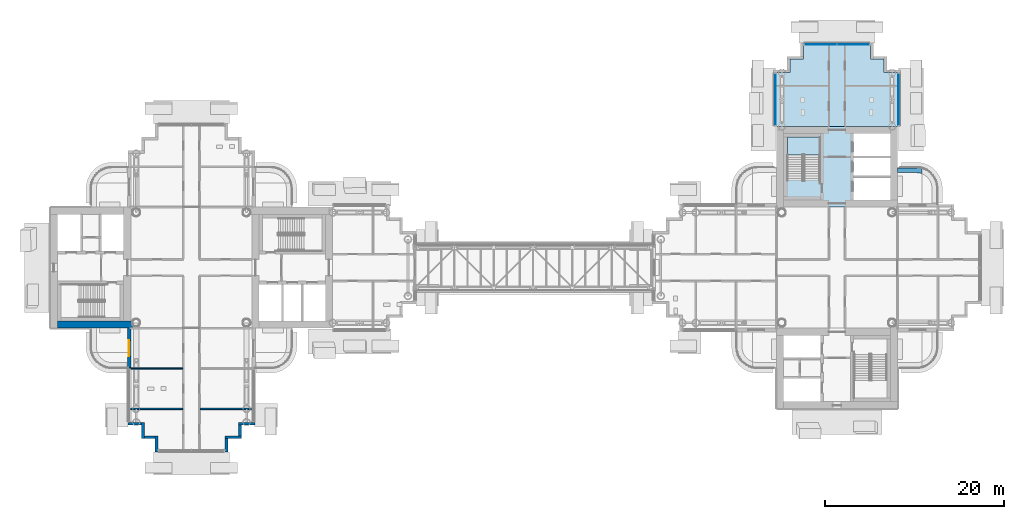
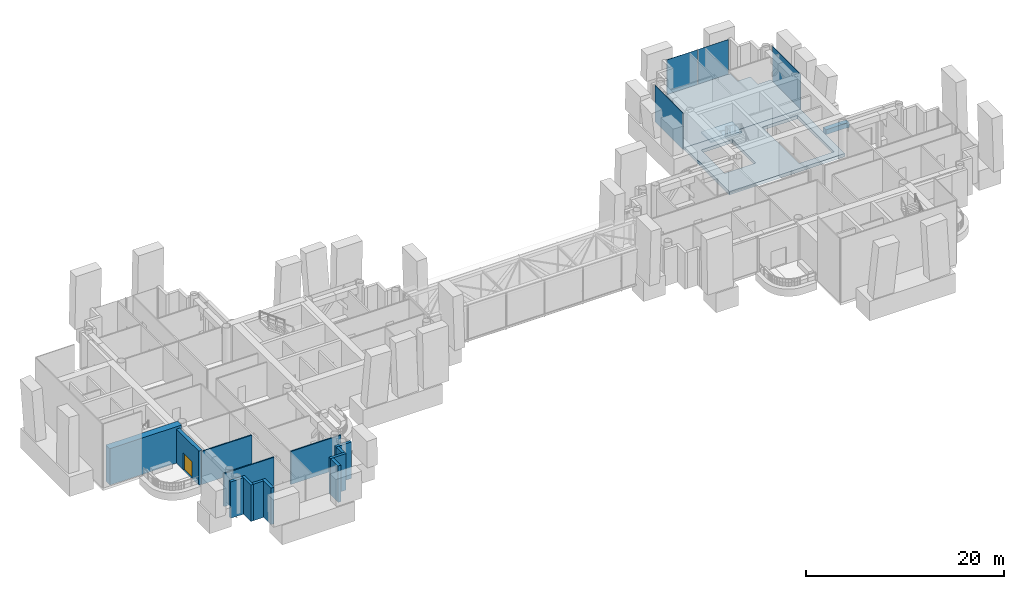
# One storey, part 11 of 26: 13 walls, 4 plates, 4 slabs, 1 door, 1 opening, 4 elements without a shape of their own.
"""IFC4 building model written with IfcOpenShell, lengths in metres."""

import ifcopenshell
import ifcopenshell.guid

model = None  # the IFC model being written
_history = None  # IfcOwnerHistory: only IFC2X3 demands one
_inside = {}  # id of a spatial element -> (the spatial element, [elements in it])
_under = {}  # id of a project, library or spatial element -> (it, [spatial elements below it])
_declared = {}  # id of a project -> (the project, [libraries it declares])
_typed = {}  # id of a type object -> (the type object, [elements of that type])
_made_of = {}  # id of a material, layer set ... -> (it, [elements and type objects made of it])


def new_model(schema):
    """Start an empty IFC model of exactly this schema.

    Asked for "IFC4X3", IfcOpenShell would pick the latest addendum, in which some entities
    have other attributes; the version numbers below select the first issue.
    IFC2X3 requires an IfcOwnerHistory on every rooted entity: one is made here for all.
    """
    global model, _history
    if schema == "IFC4X3":
        model = ifcopenshell.file(schema_version=(4, 3, 0, 0))
    else:
        model = ifcopenshell.file(schema=schema)
    _inside.clear()
    _under.clear()
    _declared.clear()
    _typed.clear()
    _made_of.clear()
    _history = None
    if model.schema == "IFC2X3":
        org = make("IfcOrganization", Name="unknown")
        user = make(
            "IfcPersonAndOrganization",
            ThePerson=make("IfcPerson", FamilyName="unknown"),
            TheOrganization=org,
        )
        app = make(
            "IfcApplication",
            ApplicationDeveloper=org,
            Version="unknown",
            ApplicationFullName="unknown",
            ApplicationIdentifier="unknown",
        )
        _history = make(
            "IfcOwnerHistory",
            OwningUser=user,
            OwningApplication=app,
            ChangeAction="ADDED",
            CreationDate=0,
        )
    return model


def make(cls, **values):
    """One entity of the class cls with the attributes given. An attribute that is None is left unset."""
    return model.create_entity(
        cls, **{name: value for name, value in values.items() if value is not None}
    )


def rooted(cls, **values):
    """An entity with a GlobalId (a new one), such as an element, a storey or a relation."""
    return make(cls, GlobalId=ifcopenshell.guid.new(), OwnerHistory=_history, **values)


def si_unit(unit_type, name, prefix=None):
    """IfcSIUnit, for example si_unit("LENGTHUNIT", "METRE", prefix="MILLI")."""
    return make("IfcSIUnit", UnitType=unit_type, Prefix=prefix, Name=name)


def assignment(units):
    """IfcUnitAssignment: the units of a project."""
    return None if units is None else make("IfcUnitAssignment", Units=units)


def point(xyz):
    """IfcCartesianPoint."""
    return None if xyz is None else make("IfcCartesianPoint", Coordinates=xyz)


def direction(xyz):
    """IfcDirection."""
    return None if xyz is None else make("IfcDirection", DirectionRatios=xyz)


def frame(location, z_axis=None, x_axis=None):
    """IfcAxis2Placement3D, a coordinate frame: its origin and axes. An axis left out is left unset."""
    return make(
        "IfcAxis2Placement3D",
        Location=point(location),
        Axis=direction(z_axis),
        RefDirection=direction(x_axis),
    )


def frame_2d(location, x_axis=None):
    """IfcAxis2Placement2D, a coordinate frame in the plane: its origin and x axis."""
    return make(
        "IfcAxis2Placement2D", Location=point(location), RefDirection=direction(x_axis)
    )


def origin():
    """The frame at (0, 0, 0) with its axes left unset."""
    return frame((0.0, 0.0, 0.0))


def origin_2d():
    """The frame at (0, 0) in the plane with its x axis left unset."""
    return frame_2d((0.0, 0.0))


def place(relative_to, where):
    """IfcLocalPlacement: puts the frame where relative to a parent placement (None: the world)."""
    return make(
        "IfcLocalPlacement", PlacementRelTo=relative_to, RelativePlacement=where
    )


def context(
    kind, dimensions, precision=None, world=None, true_north=None, identifier=None
):
    """IfcGeometricRepresentationContext, for example the 3D "Model" context."""
    return make(
        "IfcGeometricRepresentationContext",
        ContextIdentifier=identifier,
        ContextType=kind,
        CoordinateSpaceDimension=dimensions,
        Precision=precision,
        WorldCoordinateSystem=world,
        TrueNorth=true_north,
    )


def subcontext(parent, identifier, kind, view, scale=None):
    """IfcGeometricRepresentationSubContext, for example "Body" below "Model"."""
    return make(
        "IfcGeometricRepresentationSubContext",
        ContextIdentifier=identifier,
        ContextType=kind,
        ParentContext=parent,
        TargetScale=scale,
        TargetView=view,
    )


def project(units=None, contexts=None):
    """IfcProject with its units and contexts."""
    return rooted(
        "IfcProject",
        Name="project",
        RepresentationContexts=contexts,
        UnitsInContext=assignment(units),
    )


def spatial(cls, under=None, at=None, **own):
    """A site, building, storey or space (cls), placed at a placement, below another one or the project."""
    s = rooted(cls, ObjectPlacement=at, **own)
    if under is not None:
        _under.setdefault(under.id(), (under, []))[1].append(s)
    return s


def polyline(points):
    """IfcPolyline through the points."""
    return make("IfcPolyline", Points=[point(p) for p in points])


def profile(cls, at=None, kind="AREA", **sizes):
    """A parametric profile (cls). Its sizes go by their IFC names, for example OverallWidth=200.0."""
    return make(cls, ProfileType=kind, Position=at, **sizes)


def rectangle(**sizes):
    """IfcRectangleProfileDef."""
    return profile("IfcRectangleProfileDef", **sizes)


def outline(outer, holes=None, kind="AREA"):
    """IfcArbitraryClosedProfileDef: a profile drawn as a closed curve; with holes, ...WithVoids."""
    if holes is None:
        return make("IfcArbitraryClosedProfileDef", ProfileType=kind, OuterCurve=outer)
    return make(
        "IfcArbitraryProfileDefWithVoids",
        ProfileType=kind,
        OuterCurve=outer,
        InnerCurves=holes,
    )


def extrude(swept, where, along, depth):
    """IfcExtrudedAreaSolid: the profile swept, set in the frame where, extruded along a direction by depth."""
    return make(
        "IfcExtrudedAreaSolid",
        SweptArea=swept,
        Position=where,
        ExtrudedDirection=direction(along),
        Depth=depth,
    )


def shape(context_of_items, identifier, shape_type, items):
    """IfcShapeRepresentation: the items that make up one representation, for example the "Body"."""
    return make(
        "IfcShapeRepresentation",
        ContextOfItems=context_of_items,
        RepresentationIdentifier=identifier,
        RepresentationType=shape_type,
        Items=items,
    )


def material(Name=None, Category=None):
    """IfcMaterial."""
    return make("IfcMaterial", Name=Name, Category=Category)


def layer(
    of_material, thickness, ventilated=None, Name=None, Category=None, Priority=None
):
    """IfcMaterialLayer: one layer of a wall or slab, of a material (None: an air gap)."""
    return make(
        "IfcMaterialLayer",
        Material=of_material,
        LayerThickness=thickness,
        IsVentilated=ventilated,
        Name=Name,
        Category=Category,
        Priority=Priority,
    )


def layer_set(layers, Name=None):
    """IfcMaterialLayerSet."""
    return make("IfcMaterialLayerSet", MaterialLayers=layers, LayerSetName=Name)


def made_of(thing, what):
    """Note that an element or type object is made of a material, layer set ...; save() writes the relation."""
    if what is not None:
        _made_of.setdefault(what.id(), (what, []))[1].append(thing)
    return thing


def type_object(cls, material=None, **own):
    """A type object (cls), such as IfcWallType, which elements share."""
    return made_of(rooted(cls, **own), material)


def element(
    cls,
    number,
    at=None,
    inside=None,
    cuts=None,
    type_object=None,
    material=None,
    context=None,
    identifier="Body",
    shape_type=None,
    held_by="IfcProductDefinitionShape",
    body=None,
    shapes=None,
    **own,
):
    """One element of the class cls, such as IfcWall. Its Tag is "e" and its number.

    at: its placement. inside: the storey or other place that contains it. cuts: it is an
    opening in that element (IfcRelVoidsElement). A single representation is given by context,
    identifier, shape_type and body (its items); several are given by shapes. held_by: the class
    of the entity that holds the representations. save() writes the other relations.
    """
    e = rooted(cls, Tag="e%d" % number, ObjectPlacement=at, **own)
    if body is not None:
        shapes = [shape(context, identifier, shape_type, body)]
    if shapes is not None:
        e.Representation = make(held_by, Representations=shapes)
    if inside is not None:
        _inside.setdefault(inside.id(), (inside, []))[1].append(e)
    if cuts is not None:
        rooted(
            "IfcRelVoidsElement", RelatingBuildingElement=cuts, RelatedOpeningElement=e
        )
    if type_object is not None:
        _typed.setdefault(type_object.id(), (type_object, []))[1].append(e)
    return made_of(e, material)


def fill(opening, filler):
    """IfcRelFillsElement: the door or window that sits in an opening."""
    return rooted(
        "IfcRelFillsElement",
        RelatingOpeningElement=opening,
        RelatedBuildingElement=filler,
    )


def aggregate(whole, parts):
    """IfcRelAggregates: a whole, such as a stair, and the parts it consists of."""
    return rooted("IfcRelAggregates", RelatingObject=whole, RelatedObjects=parts)


def save(model, path):
    """Write the relations noted so far, then the file.

    IfcRelAggregates (storeys below a building ...), IfcRelContainedInSpatialStructure (elements
    in a storey), IfcRelDefinesByType, IfcRelAssociatesMaterial and IfcRelDeclares: one each for
    every whole, place, type object, material and project.
    """
    for whole, parts in _under.values():
        aggregate(whole, parts)
    for where, things in _inside.values():
        rooted(
            "IfcRelContainedInSpatialStructure",
            RelatedElements=things,
            RelatingStructure=where,
        )
    for kind, things in _typed.values():
        rooted("IfcRelDefinesByType", RelatedObjects=things, RelatingType=kind)
    for what, things in _made_of.values():
        rooted("IfcRelAssociatesMaterial", RelatedObjects=things, RelatingMaterial=what)
    for by, libraries in _declared.values():
        rooted("IfcRelDeclares", RelatingContext=by, RelatedDefinitions=libraries)
    model.write(path)


model = new_model("IFC4")

# Units and contexts
model_context = context("Model", 3, precision=1e-05, world=origin(), true_north=direction((0.0, 1.0)))
body_context = subcontext(model_context, "Body", "Model", "MODEL_VIEW")
ifc_project = project(units=[si_unit("LENGTHUNIT", "METRE"), si_unit("AREAUNIT", "SQUARE_METRE"), si_unit("VOLUMEUNIT", "CUBIC_METRE"), si_unit("PLANEANGLEUNIT", "RADIAN"), si_unit("MASSUNIT", "GRAM", prefix="KILO")], contexts=[model_context])

# Site, building, storey
site_placement = place(None, origin())
site = spatial("IfcSite", under=ifc_project, at=site_placement, CompositionType="ELEMENT")
building_placement = place(site_placement, origin())
building = spatial("IfcBuilding", under=site, at=building_placement, Name="Ipe Terrace Towers", CompositionType="ELEMENT")
storey_placement = place(building_placement, frame((0.0, 0.0, 181.300048828125)))
storey = spatial("IfcBuildingStorey", under=building, at=storey_placement, Name="L50", CompositionType="ELEMENT", Elevation=181.300048828125)

# Slab
ifc_material_1 = material(Name="Concrete C30/37", Category="concrete")
ifc_layer_1 = layer(ifc_material_1, 0.39990234375)
ifc_layer_set_1 = layer_set([ifc_layer_1], Name="CORE FLOOR SLAB 400 C30-37")
slab_type_1 = type_object("IfcSlabType", Name="CORE FLOOR SLAB 400 C30-37", PredefinedType="FLOOR", material=ifc_layer_set_1)
slab_1_placement = place(storey_placement, frame((0.0, 0.0, -0.400146484375)))
element("IfcSlab", 1, at=slab_1_placement, inside=storey, type_object=slab_type_1, Name="Core floor T2-C1", PredefinedType="FLOOR", context=body_context, shape_type="SweptSolid", body=[
    extrude(outline(polyline([(29.25, 6.75), (29.25, 15.75), (42.75, 15.75), (42.75, 6.75), (29.25, 6.75)]), holes=[polyline([(41.949951171875, 7.550048828125), (41.949951171875, 14.949951171875), (37.85009765625, 14.949951171875), (37.85009765625, 7.550048828125), (41.949951171875, 7.550048828125)]), polyline([(30.449951171875, 9.800048828125), (34.10009765625, 9.800048828125), (34.10009765625, 14.550048828125), (30.449951171875, 14.550048828125), (30.449951171875, 9.800048828125)])]), origin(), (0.0, 0.0, 1.0), 0.400146484375),
])

# Stair, slab
ifc_material_2 = material(Name="Concrete C30/37", Category="concrete")
stair_type = type_object("IfcStairType", Name="Protected exit stair", PredefinedType="HALF_TURN_STAIR", material=ifc_material_2)
stair_placement = place(storey_placement, origin())
stair = element("IfcStair", 2, at=stair_placement, inside=storey, type_object=stair_type, Name="L50 Exit stair T2-C1", PredefinedType="HALF_TURN_STAIR")
ifc_material_3 = material(Name="Concrete C30/37", Category="concrete")
ifc_layer_2 = layer(ifc_material_3, 0.199951171875)
ifc_layer_set_2 = layer_set([ifc_layer_2], Name="Exit stair landing 200")
slab_type_2 = type_object("IfcSlabType", Name="Exit stair landing 200", PredefinedType="LANDING", material=ifc_layer_set_2)
slab_2_placement = place(storey_placement, frame((0.0, 0.0, 2.050048828125)))
slab_2 = element("IfcSlab", 3, at=slab_2_placement, type_object=slab_type_2, Name="T2-ST1 landing 1", PredefinedType="LANDING", context=body_context, shape_type="SweptSolid", body=[
    extrude(outline(polyline([(34.10009765625, 12.56005859375), (34.10009765625, 14.550048828125), (30.449951171875, 14.550048828125), (30.449951171875, 12.56005859375), (34.10009765625, 12.56005859375)])), origin(), (0.0, 0.0, 1.0), 0.199951171875),
])
aggregate(stair, [slab_2])

# Slabs
ifc_material_4 = material(Name="Concrete C40/50", Category="concrete")
ifc_layer_3 = layer(ifc_material_4, 0.39990234375)
ifc_layer_set_3 = layer_set([ifc_layer_3], Name="FLAT PLATE SLAB 400 C40-50")
slab_type_3 = type_object("IfcSlabType", Name="FLAT PLATE SLAB 400 C40-50", PredefinedType="FLOOR", material=ifc_layer_set_3)
slab_3_placement = place(storey_placement, frame((0.0, 0.0, -0.400146484375)))
element("IfcSlab", 4, at=slab_3_placement, inside=storey, type_object=slab_type_3, Name="Slab T2-FS-Z32", PredefinedType="FLOOR", context=body_context, shape_type="SweptSolid", body=[
    extrude(outline(polyline([(30.75, 21.75), (30.75, 23.25), (32.25, 23.25), (32.25, 24.75), (39.75, 24.75), (39.75, 23.25), (41.25, 23.25), (41.25, 21.75), (42.75, 21.75), (42.75, 15.75), (29.25, 15.75), (29.25, 21.75), (30.75, 21.75)])), origin(), (0.0, 0.0, 1.0), 0.400146484375),
])
ifc_material_5 = material(Name="Concrete C30/37", Category="concrete")
ifc_layer_4 = layer(ifc_material_5, 0.60009765625)
ifc_layer_set_4 = layer_set([ifc_layer_4], Name="PLANTER TROUGH 550 x 600")
slab_type_4 = type_object("IfcSlabType", Name="PLANTER TROUGH 550 x 600", PredefinedType="USERDEFINED", material=ifc_layer_set_4)
slab_4_placement = place(storey_placement, frame((0.0, 0.0, -0.02001953125)))
element("IfcSlab", 5, at=slab_4_placement, inside=storey, type_object=slab_type_4, Name="planter", ObjectType="PLANTER", PredefinedType="USERDEFINED", context=body_context, shape_type="SweptSolid", body=[
    extrude(outline(polyline([(45.300048828125, 10.529052734375), (45.449951171875, 10.47802734375), (45.449951171875, 11.05908203125), (45.425048828125, 11.06494140625), (45.1669921875, 11.116943359375), (45.131103515625, 11.12109375), (44.85498046875, 11.138916015625), (44.8369140625, 11.139892578125), (42.75, 11.139892578125), (42.75, 10.590087890625), (44.827880859375, 10.590087890625), (45.076904296875, 10.573974609375), (45.300048828125, 10.529052734375)])), origin(), (0.0, 0.0, 1.0), 0.599853515625),
])

# Curtain wall, plates
ifc_material_6 = material(Name="Aluminium alloy 6063-T6", Category="aluminium")
ifc_layer_5 = layer(ifc_material_6, 0.320068359375)
ifc_layer_set_5 = layer_set([ifc_layer_5], Name="REFUGE FLOOR CURTAIN WALL")
curtain_wall_type = type_object("IfcCurtainWallType", Name="REFUGE FLOOR CURTAIN WALL", PredefinedType="NOTDEFINED", material=ifc_layer_set_5)
curtain_wall_1_placement = place(storey_placement, origin())
curtain_wall_1 = element("IfcCurtainWall", 6, at=curtain_wall_1_placement, inside=storey, type_object=curtain_wall_type, Name="T2-CW-L50-21a curtain wall", PredefinedType="NOTDEFINED")
ifc_material_7 = material(Name="Glass, clear laminated", Category="glass")
ifc_layer_6 = layer(ifc_material_7, 0.035888671875)
ifc_layer_set_6 = layer_set([ifc_layer_6], Name="REFUGE FLOOR GLASS PANEL 36")
plate_type_1 = type_object("IfcPlateType", Name="REFUGE FLOOR GLASS PANEL 36", PredefinedType="CURTAIN_PANEL", material=ifc_layer_set_6)
plate_1_placement = place(storey_placement, frame((37.82373046875, 24.8701171875, -0.300048828125), z_axis=(0.0, 0.0, 1.0), x_axis=(-1.0, 0.0, 0.0)))
plate_1 = element("IfcPlate", 7, at=plate_1_placement, type_object=plate_type_1, Name="T2-CW-L50-21a panel 1", PredefinedType="CURTAIN_PANEL", context=body_context, shape_type="SweptSolid", body=[
    extrude(rectangle(XDim=3.572509765625, YDim=0.035888671875, at=origin_2d()), origin(), (0.0, 0.0, 1.0), 4.5),
])
plate_2_placement = place(storey_placement, frame((34.17626953125, 24.8701171875, -0.300048828125), z_axis=(0.0, 0.0, 1.0), x_axis=(-1.0, 0.0, 0.0)))
plate_2 = element("IfcPlate", 8, at=plate_2_placement, type_object=plate_type_1, Name="T2-CW-L50-21a panel 2", PredefinedType="CURTAIN_PANEL", context=body_context, shape_type="SweptSolid", body=[
    extrude(rectangle(XDim=3.572509765625, YDim=0.035888671875, at=origin_2d()), origin(), (0.0, 0.0, 1.0), 4.5),
])
aggregate(curtain_wall_1, [plate_1, plate_2])

# Curtain wall, plate
curtain_wall_2_placement = place(storey_placement, origin())
curtain_wall_2 = element("IfcCurtainWall", 9, at=curtain_wall_2_placement, inside=storey, type_object=curtain_wall_type, Name="T2-CW-L50-16b curtain wall", PredefinedType="NOTDEFINED")
ifc_material_8 = material(Name="Insulated spandrel panel, stone-effect cladding", Category="masonry")
ifc_layer_7 = layer(ifc_material_8, 0.035888671875)
ifc_layer_set_7 = layer_set([ifc_layer_7], Name="REFUGE FLOOR SPANDREL PANEL 36")
plate_type_2 = type_object("IfcPlateType", Name="REFUGE FLOOR SPANDREL PANEL 36", PredefinedType="CURTAIN_PANEL", material=ifc_layer_set_7)
plate_3_placement = place(storey_placement, frame((42.8701171875, 18.75048828125, -0.300048828125), z_axis=(0.0, 0.0, 1.0), x_axis=(0.0, 1.0, 0.0)))
plate_3 = element("IfcPlate", 10, at=plate_3_placement, type_object=plate_type_2, Name="T2-CW-L50-16b panel 1", PredefinedType="CURTAIN_PANEL", context=body_context, shape_type="SweptSolid", body=[
    extrude(rectangle(XDim=5.718994140625, YDim=0.035888671875, at=origin_2d()), origin(), (0.0, 0.0, 1.0), 4.5),
])
aggregate(curtain_wall_2, [plate_3])

curtain_wall_3_placement = place(storey_placement, origin())
curtain_wall_3 = element("IfcCurtainWall", 11, at=curtain_wall_3_placement, inside=storey, type_object=curtain_wall_type, Name="T2-CW-L50-26a curtain wall", PredefinedType="NOTDEFINED")
plate_4_placement = place(storey_placement, frame((29.1298828125, 18.75048828125, -0.300048828125), z_axis=(0.0, 0.0, 1.0), x_axis=(0.0, -1.0, 0.0)))
plate_4 = element("IfcPlate", 12, at=plate_4_placement, type_object=plate_type_2, Name="T2-CW-L50-26a panel 1", PredefinedType="CURTAIN_PANEL", context=body_context, shape_type="SweptSolid", body=[
    extrude(rectangle(XDim=5.718994140625, YDim=0.035888671875, at=origin_2d()), origin(), (0.0, 0.0, 1.0), 4.5),
])
aggregate(curtain_wall_3, [plate_4])

# Wall, opening, door
ifc_material_9 = material(Name="Concrete C40/50 with buff precast cladding", Category="concrete")
ifc_layer_8 = layer(ifc_material_9, 0.39990234375)
ifc_layer_set_8 = layer_set([ifc_layer_8], Name="BALCONY BAY WALL 400")
wall_type_1 = type_object("IfcWallType", Name="BALCONY BAY WALL 400", PredefinedType="STANDARD", material=ifc_layer_set_8)
wall_1_placement = place(storey_placement, frame((-42.949951171875, -6.75, -0.02001953125), z_axis=(0.0, 0.0, 1.0), x_axis=(0.0, -1.0, 0.0)))
wall_1 = element("IfcWall", 13, at=wall_1_placement, inside=storey, type_object=wall_type_1, Name="T1-W-L50-02a wall", PredefinedType="STANDARD", context=body_context, shape_type="SweptSolid", body=[
    extrude(rectangle(XDim=4.5, YDim=0.39990234375, at=frame_2d((2.25, 0.0))), origin(), (0.0, 0.0, 1.0), 4.219970703125),
])
opening_placement = place(wall_1_placement, frame((1.35009765625, 0.0, 0.02001953125)))
opening = element("IfcOpeningElement", 14, at=opening_placement, cuts=wall_1, Name="Opening T1-D-L50-02", PredefinedType="OPENING", context=body_context, shape_type="SweptSolid", body=[
    extrude(rectangle(XDim=1.800048828125, YDim=2.10009765625, at=frame_2d((0.89990234375, 1.050048828125))), frame((0.0, 0.2099609375, 0.0), z_axis=(0.0, -1.0, 0.0), x_axis=(1.0, 0.0, 0.0)), (0.0, 0.0, 1.0), 0.419921875),
])
ifc_material_10 = material(Name="Aluminium alloy 6063-T6 framed glazed door", Category="aluminium")
door_type = type_object("IfcDoorType", Name="BALCONY DOOR 1800 x 2100 LEFT", OperationType="SINGLE_SWING_LEFT", PredefinedType="DOOR", material=ifc_material_10)
door_placement = place(opening_placement, origin())
door = element("IfcDoor", 15, at=door_placement, inside=storey, type_object=door_type, Name="DB1 door", OperationType="SINGLE_SWING_LEFT", OverallHeight=2.10009765625, OverallWidth=1.800048828125, PredefinedType="DOOR", context=body_context, shape_type="SweptSolid", body=[
    extrude(rectangle(XDim=1.800048828125, YDim=2.10009765625, at=frame_2d((0.89990234375, 1.050048828125))), frame((0.0, 0.02490234375, 0.0), z_axis=(0.0, -1.0, 0.0), x_axis=(1.0, 0.0, 0.0)), (0.0, 0.0, 1.0), 0.050048828125),
])
fill(opening, door)

# Walls
ifc_material_11 = material(Name="Concrete C40/50 with buff precast cladding", Category="concrete")
ifc_layer_9 = layer(ifc_material_11, 0.320068359375)
ifc_layer_set_9 = layer_set([ifc_layer_9], Name="BUFF CLADDING WALL 320")
wall_type_2 = type_object("IfcWallType", Name="BUFF CLADDING WALL 320", PredefinedType="STANDARD", material=ifc_layer_set_9)
wall_2_placement = place(storey_placement, frame((-43.070068359375, -17.409912109375, -0.300048828125), z_axis=(0.0, 0.0, 1.0), x_axis=(1.0, 0.0, 0.0)))
element("IfcWall", 16, at=wall_2_placement, inside=storey, type_object=wall_type_2, Name="T1-W-L50-04a wall", PredefinedType="STANDARD", context=body_context, shape_type="SweptSolid", body=[
    extrude(rectangle(XDim=1.5, YDim=0.320068359375, at=frame_2d((0.75, 0.0))), origin(), (0.0, 0.0, 1.0), 4.5),
])
wall_3_placement = place(storey_placement, frame((-41.409912109375, -17.25, -0.300048828125), z_axis=(0.0, 0.0, 1.0), x_axis=(0.0, -1.0, 0.0)))
element("IfcWall", 17, at=wall_3_placement, inside=storey, type_object=wall_type_2, Name="T1-W-L50-05a wall", PredefinedType="STANDARD", context=body_context, shape_type="SweptSolid", body=[
    extrude(rectangle(XDim=1.820068359375, YDim=0.320068359375, at=frame_2d((0.91015625, 0.0))), origin(), (0.0, 0.0, 1.0), 4.5),
])
wall_4_placement = place(storey_placement, frame((-41.25, -18.909912109375, -0.300048828125), z_axis=(0.0, 0.0, 1.0), x_axis=(1.0, 0.0, 0.0)))
element("IfcWall", 18, at=wall_4_placement, inside=storey, type_object=wall_type_2, Name="T1-W-L50-06a wall", PredefinedType="STANDARD", context=body_context, shape_type="SweptSolid", body=[
    extrude(rectangle(XDim=1.179931640625, YDim=0.320068359375, at=frame_2d((0.58984375, 0.0))), origin(), (0.0, 0.0, 1.0), 4.5),
])
wall_5_placement = place(storey_placement, frame((-39.909912109375, -18.75, -0.300048828125), z_axis=(0.0, 0.0, 1.0), x_axis=(0.0, -1.0, 0.0)))
element("IfcWall", 19, at=wall_5_placement, inside=storey, type_object=wall_type_2, Name="T1-W-L50-07a wall", PredefinedType="STANDARD", context=body_context, shape_type="SweptSolid", body=[
    extrude(rectangle(XDim=1.820068359375, YDim=0.320068359375, at=frame_2d((0.91015625, 0.0))), origin(), (0.0, 0.0, 1.0), 4.5),
])
wall_6_placement = place(storey_placement, frame((-32.090087890625, -20.570068359375, -0.300048828125), z_axis=(0.0, 0.0, 1.0), x_axis=(0.0, 1.0, 0.0)))
element("IfcWall", 20, at=wall_6_placement, inside=storey, type_object=wall_type_2, Name="T1-W-L50-09a wall", PredefinedType="STANDARD", context=body_context, shape_type="SweptSolid", body=[
    extrude(rectangle(XDim=1.5, YDim=0.320068359375, at=frame_2d((0.75, 0.0))), origin(), (0.0, 0.0, 1.0), 4.5),
])
wall_7_placement = place(storey_placement, frame((-32.25, -18.909912109375, -0.300048828125), z_axis=(0.0, 0.0, 1.0), x_axis=(1.0, 0.0, 0.0)))
element("IfcWall", 21, at=wall_7_placement, inside=storey, type_object=wall_type_2, Name="T1-W-L50-10a wall", PredefinedType="STANDARD", context=body_context, shape_type="SweptSolid", body=[
    extrude(rectangle(XDim=1.820068359375, YDim=0.320068359375, at=frame_2d((0.91015625, 0.0))), origin(), (0.0, 0.0, 1.0), 4.5),
])
wall_8_placement = place(storey_placement, frame((-30.590087890625, -18.75, -0.300048828125), z_axis=(0.0, 0.0, 1.0), x_axis=(0.0, 1.0, 0.0)))
element("IfcWall", 22, at=wall_8_placement, inside=storey, type_object=wall_type_2, Name="T1-W-L50-11a wall", PredefinedType="STANDARD", context=body_context, shape_type="SweptSolid", body=[
    extrude(rectangle(XDim=1.179931640625, YDim=0.320068359375, at=frame_2d((0.58984375, 0.0))), origin(), (0.0, 0.0, 1.0), 4.5),
])
wall_9_placement = place(storey_placement, frame((-30.75, -17.409912109375, -0.300048828125), z_axis=(0.0, 0.0, 1.0), x_axis=(1.0, 0.0, 0.0)))
element("IfcWall", 23, at=wall_9_placement, inside=storey, type_object=wall_type_2, Name="T1-W-L50-12a wall", PredefinedType="STANDARD", context=body_context, shape_type="SweptSolid", body=[
    extrude(rectangle(XDim=1.820068359375, YDim=0.320068359375, at=frame_2d((0.91015625, 0.0))), origin(), (0.0, 0.0, 1.0), 4.5),
])
ifc_material_12 = material(Name="Gypsum board partition", Category="plasterboard")
ifc_layer_10 = layer(ifc_material_12, 0.14990234375)
ifc_layer_set_10 = layer_set([ifc_layer_10], Name="Gypsum board partition 150 mm")
wall_type_3 = type_object("IfcWallType", Name="Gypsum board partition 150 mm", PredefinedType="PARTITIONING", material=ifc_layer_set_10)
for number, where, z_axis, x_axis, name in (
    (24, (-35.02490234375, -15.75, 0.0), (0.0, 0.0, 1.0), (1.0, 0.0, 0.0), "Gypsum board partition T1 L50 sp-Sm-dp1"),
    (25, (-36.97509765625, -15.75, 0.0), (0.0, 0.0, 1.0), (-1.0, 0.0, 0.0), "Gypsum board partition T1 L50 sp-Sm-dm1"),
    (26, (-36.97509765625, -11.25, 0.0), (0.0, 0.0, 1.0), (-1.0, 0.0, 0.0), "Gypsum board partition T1 L50 sp-Sm-dm2"),
):
    element("IfcWall", number, at=place(storey_placement, frame(where, z_axis=z_axis, x_axis=x_axis)), inside=storey, type_object=wall_type_3, Name=name, PredefinedType="PARTITIONING", context=body_context, shape_type="SweptSolid", body=[
        extrude(rectangle(XDim=5.875, YDim=0.14990234375, at=frame_2d((2.9375, 0.0))), origin(), (0.0, 0.0, 1.0), 4.079833984375),
    ])
ifc_material_13 = material(Name="Concrete C50/60", Category="concrete")
ifc_layer_11 = layer(ifc_material_13, 0.800048828125)
ifc_layer_set_11 = layer_set([ifc_layer_11], Name="RW800 CORE WALL 800 C50-60")
wall_type_4 = type_object("IfcWallType", Name="RW800 CORE WALL 800 C50-60", PredefinedType="SHEAR", material=ifc_layer_set_11)
wall_10_placement = place(storey_placement, frame((-50.949951171875, -6.35009765625, 0.0), z_axis=(0.0, 0.0, 1.0), x_axis=(1.0, 0.0, 0.0)))
element("IfcWall", 27, at=wall_10_placement, inside=storey, type_object=wall_type_4, Name="Core wall T1-C2-Z3-W01", PredefinedType="SHEAR", context=body_context, shape_type="SweptSolid", body=[
    extrude(rectangle(XDim=8.39794921875, YDim=0.800048828125, at=frame_2d((4.198974609375, 0.0))), origin(), (0.0, 0.0, 1.0), 4.5),
])

save(model, "model.ifc")
